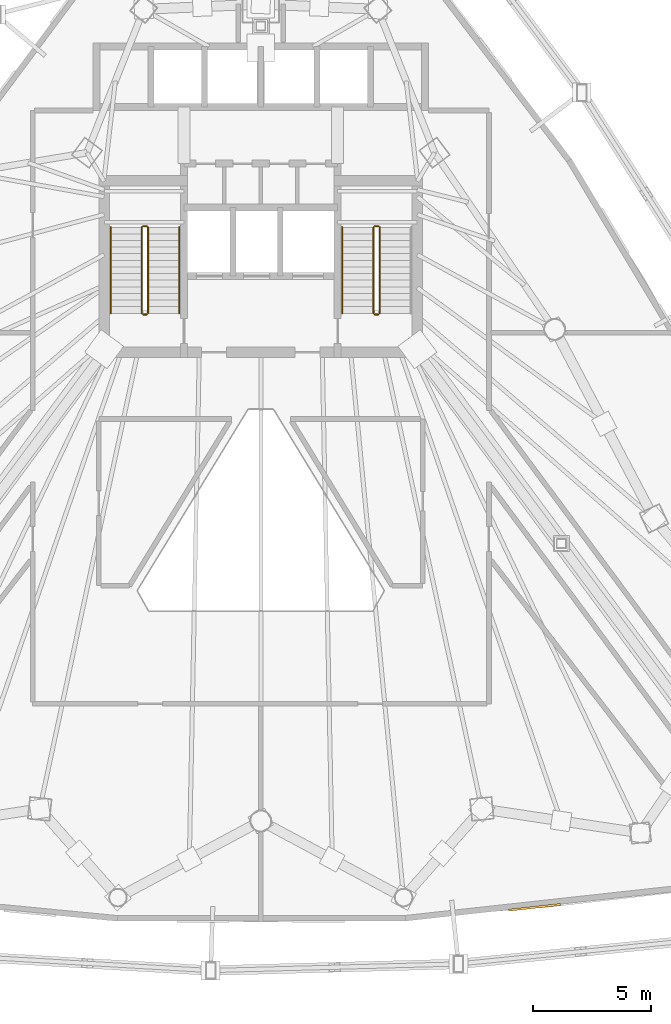
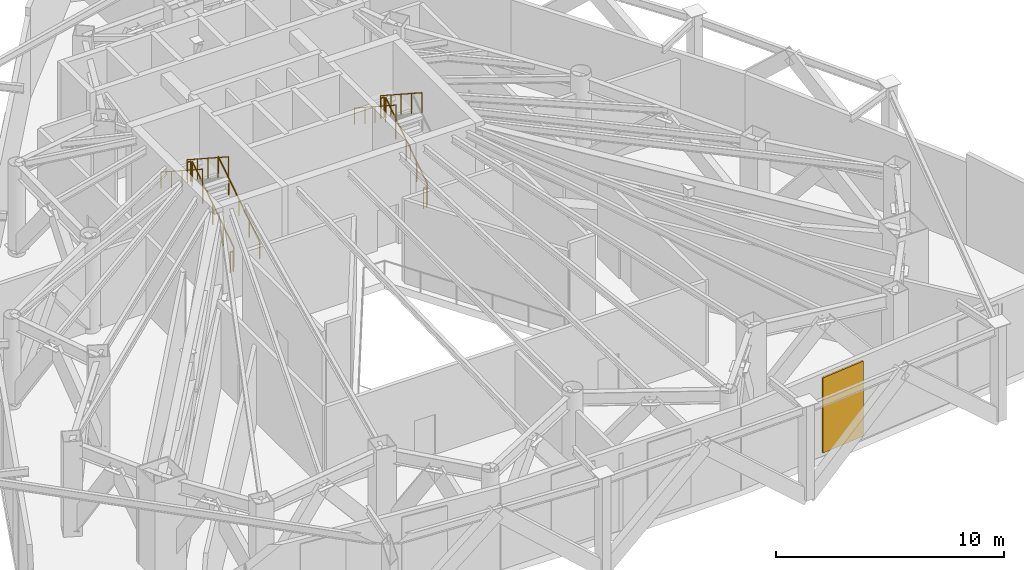
# One storey, part 9 of 10: 11 railings, 1 shading device.
"""IFC4 building model written with IfcOpenShell, lengths in metres."""

from ifc_helpers import new_model, si_unit, direction, frame, origin, origin_2d, place, context, subcontext, project, spatial, rectangle, circle, extrude, material, layer, layer_set, type_object, element, save


model = new_model("IFC4")

# Units and contexts
model_context = context("Model", 3, precision=1e-05, world=origin(), true_north=direction((0.0, 1.0)))
body_context = subcontext(model_context, "Body", "Model", "MODEL_VIEW")
ifc_project = project(units=[si_unit("LENGTHUNIT", "METRE"), si_unit("AREAUNIT", "SQUARE_METRE"), si_unit("VOLUMEUNIT", "CUBIC_METRE"), si_unit("PLANEANGLEUNIT", "RADIAN"), si_unit("MASSUNIT", "GRAM", prefix="KILO")], contexts=[model_context])

# Site, building, storey
site_placement = place(None, origin())
site = spatial("IfcSite", under=ifc_project, at=site_placement, CompositionType="ELEMENT")
building_placement = place(site_placement, origin())
building = spatial("IfcBuilding", under=site, at=building_placement, Name="Orvanel Arch Residences", CompositionType="ELEMENT")
storey_placement = place(building_placement, frame((0.0, 0.0, 101.60009765625)))
storey = spatial("IfcBuildingStorey", under=building, at=storey_placement, Name="L28", CompositionType="ELEMENT", Elevation=101.60009765625)

# Shading device
ifc_material_1 = material(Name="Insulated bronze-anodised aluminium spandrel panel", Category="aluminium")
ifc_layer = layer(ifc_material_1, 0.090087890625)
ifc_layer_set = layer_set([ifc_layer], Name="Insulated bronze-anodised aluminium spandrel panel")
shading_device_type = type_object("IfcShadingDeviceType", Name="LVR-PLT-90", PredefinedType="USERDEFINED", material=ifc_layer_set)
shading_device_placement = place(storey_placement, frame((44.58203125, 3.193115234375, 0.199951171875), z_axis=(0.0, 0.0, 1.0), x_axis=(0.993960955455, 0.109734311091, 0.0)))
element("IfcShadingDevice", 1, at=shading_device_placement, inside=storey, type_object=shading_device_type, Name="L28 Mechanical Intake Louvre Panel F2-5", ObjectType="LOUVRE", PredefinedType="USERDEFINED", context=body_context, shape_type="SweptSolid", body=[
    extrude(rectangle(XDim=2.199951171875, YDim=0.090087890625, at=origin_2d()), origin(), (0.0, 0.0, 1.0), 4.02392578125),
])

# Railings
ifc_material_2 = material(Name="Structural steel AS/NZS 1163 C350L0 (Grade 350)", Category="steel")
railing_type_1 = type_object("IfcRailingType", Name="RL-STAIR-GUARD", PredefinedType="GUARDRAIL", material=ifc_material_2)
railing_1_placement = place(storey_placement, frame((28.22998046875, 28.320068359375, 0.18212890625)))
element("IfcRailing", 2, at=railing_1_placement, inside=storey, type_object=railing_type_1, Name="L28 ST-1 stair guard 1", PredefinedType="GUARDRAIL", context=body_context, shape_type="SweptSolid", body=[
    extrude(circle(Radius=0.02392578125, at=origin_2d()), frame((0.0, 0.001220703125, 1.076904296875), z_axis=(0.0, 0.838259873693, 0.545270927297), x_axis=(-1.0, 0.0, 0.0)), (0.0, 0.0, 1.0), 4.339111328125),
    extrude(circle(Radius=0.02099609375, at=origin_2d()), origin(), (0.0, 0.0, 1.0), 1.050048828125),
    extrude(circle(Radius=0.02099609375, at=origin_2d()), frame((0.0, 0.909912109375, 0.591796875)), (0.0, 0.0, 1.0), 1.050048828125),
    extrude(circle(Radius=0.02099609375, at=origin_2d()), frame((0.0, 1.81982421875, 1.183837890625)), (0.0, 0.0, 1.0), 1.050048828125),
    extrude(circle(Radius=0.02099609375, at=origin_2d()), frame((0.0, 2.72998046875, 1.77587890625)), (0.0, 0.0, 1.0), 1.050048828125),
    extrude(circle(Radius=0.02099609375, at=origin_2d()), frame((0.0, 3.639892578125, 2.36767578125)), (0.0, 0.0, 1.0), 1.050048828125),
])
railing_2_placement = place(storey_placement, frame((28.179931640625, 32.010009765625, 2.5498046875)))
element("IfcRailing", 3, at=railing_2_placement, inside=storey, type_object=railing_type_1, Name="L28 ST-1 stair guard 2", PredefinedType="GUARDRAIL", context=body_context, shape_type="SweptSolid", body=[
    extrude(circle(Radius=0.02392578125, at=origin_2d()), frame((-0.00146484375, 0.0, 1.076171875), z_axis=(-1.0, 0.0, 0.0), x_axis=(0.0, -1.0, 0.0)), (0.0, 0.0, 1.0), 0.156982421875),
    extrude(circle(Radius=0.02099609375, at=origin_2d()), origin(), (0.0, 0.0, 1.0), 1.050048828125),
    extrude(circle(Radius=0.02099609375, at=origin_2d()), frame((-0.159912109375, 0.0, 0.0)), (0.0, 0.0, 1.0), 1.050048828125),
])
railing_3_placement = place(storey_placement, frame((27.969970703125, 31.9599609375, 2.73193359375)))
element("IfcRailing", 4, at=railing_3_placement, inside=storey, type_object=railing_type_1, Name="L28 ST-1 stair guard 3", PredefinedType="GUARDRAIL", context=body_context, shape_type="SweptSolid", body=[
    extrude(circle(Radius=0.02392578125, at=origin_2d()), frame((0.0, -0.001220703125, 1.076904296875), z_axis=(0.0, -0.838234174257, 0.545310433706), x_axis=(1.0, 0.0, 0.0)), (0.0, 0.0, 1.0), 4.33935546875),
    extrude(circle(Radius=0.02099609375, at=origin_2d()), origin(), (0.0, 0.0, 1.0), 1.050048828125),
    extrude(circle(Radius=0.02099609375, at=origin_2d()), frame((0.0, -0.909912109375, 0.592041015625)), (0.0, 0.0, 1.0), 1.050048828125),
    extrude(circle(Radius=0.02099609375, at=origin_2d()), frame((0.0, -1.81982421875, 1.18408203125)), (0.0, 0.0, 1.0), 1.050048828125),
    extrude(circle(Radius=0.02099609375, at=origin_2d()), frame((0.0, -2.72998046875, 1.77587890625)), (0.0, 0.0, 1.0), 1.050048828125),
    extrude(circle(Radius=0.02099609375, at=origin_2d()), frame((0.0, -3.639892578125, 2.367919921875)), (0.0, 0.0, 1.0), 1.050048828125),
])
railing_4_placement = place(storey_placement, frame((28.179931640625, 28.27001953125, 0.0)))
element("IfcRailing", 5, at=railing_4_placement, inside=storey, type_object=railing_type_1, Name="L28 ST-1 stair guard 4", PredefinedType="GUARDRAIL", context=body_context, shape_type="SweptSolid", body=[
    extrude(circle(Radius=0.02392578125, at=origin_2d()), frame((-0.00146484375, 0.0, 1.076171875), z_axis=(-1.0, 0.0, 0.0), x_axis=(0.0, -1.0, 0.0)), (0.0, 0.0, 1.0), 0.156982421875),
    extrude(circle(Radius=0.02099609375, at=origin_2d()), origin(), (0.0, 0.0, 1.0), 1.050048828125),
    extrude(circle(Radius=0.02099609375, at=origin_2d()), frame((-0.159912109375, 0.0, 0.0)), (0.0, 0.0, 1.0), 1.050048828125),
])
railing_5_placement = place(storey_placement, frame((38.030029296875, 28.320068359375, 0.18212890625)))
element("IfcRailing", 6, at=railing_5_placement, inside=storey, type_object=railing_type_1, Name="L28 ST-2 stair guard 1", PredefinedType="GUARDRAIL", context=body_context, shape_type="SweptSolid", body=[
    extrude(circle(Radius=0.02392578125, at=origin_2d()), frame((0.0, 0.001220703125, 1.076904296875), z_axis=(0.0, 0.838259873693, 0.545270927297), x_axis=(-1.0, 0.0, 0.0)), (0.0, 0.0, 1.0), 4.339111328125),
    extrude(circle(Radius=0.02099609375, at=origin_2d()), origin(), (0.0, 0.0, 1.0), 1.050048828125),
    extrude(circle(Radius=0.02099609375, at=origin_2d()), frame((0.0, 0.909912109375, 0.591796875)), (0.0, 0.0, 1.0), 1.050048828125),
    extrude(circle(Radius=0.02099609375, at=origin_2d()), frame((0.0, 1.81982421875, 1.183837890625)), (0.0, 0.0, 1.0), 1.050048828125),
    extrude(circle(Radius=0.02099609375, at=origin_2d()), frame((0.0, 2.72998046875, 1.77587890625)), (0.0, 0.0, 1.0), 1.050048828125),
    extrude(circle(Radius=0.02099609375, at=origin_2d()), frame((0.0, 3.639892578125, 2.36767578125)), (0.0, 0.0, 1.0), 1.050048828125),
])
railing_6_placement = place(storey_placement, frame((37.97998046875, 32.010009765625, 2.5498046875)))
element("IfcRailing", 7, at=railing_6_placement, inside=storey, type_object=railing_type_1, Name="L28 ST-2 stair guard 2", PredefinedType="GUARDRAIL", context=body_context, shape_type="SweptSolid", body=[
    extrude(circle(Radius=0.02392578125, at=origin_2d()), frame((-0.00146484375, 0.0, 1.076171875), z_axis=(-1.0, 0.0, 0.0), x_axis=(0.0, -1.0, 0.0)), (0.0, 0.0, 1.0), 0.156982421875),
    extrude(circle(Radius=0.02099609375, at=origin_2d()), origin(), (0.0, 0.0, 1.0), 1.050048828125),
    extrude(circle(Radius=0.02099609375, at=origin_2d()), frame((-0.159912109375, 0.0, 0.0)), (0.0, 0.0, 1.0), 1.050048828125),
])
railing_7_placement = place(storey_placement, frame((37.77001953125, 31.9599609375, 2.73193359375)))
element("IfcRailing", 8, at=railing_7_placement, inside=storey, type_object=railing_type_1, Name="L28 ST-2 stair guard 3", PredefinedType="GUARDRAIL", context=body_context, shape_type="SweptSolid", body=[
    extrude(circle(Radius=0.02392578125, at=origin_2d()), frame((0.0, -0.001220703125, 1.076904296875), z_axis=(0.0, -0.838234174257, 0.545310433706), x_axis=(1.0, 0.0, 0.0)), (0.0, 0.0, 1.0), 4.33935546875),
    extrude(circle(Radius=0.02099609375, at=origin_2d()), origin(), (0.0, 0.0, 1.0), 1.050048828125),
    extrude(circle(Radius=0.02099609375, at=origin_2d()), frame((0.0, -0.909912109375, 0.592041015625)), (0.0, 0.0, 1.0), 1.050048828125),
    extrude(circle(Radius=0.02099609375, at=origin_2d()), frame((0.0, -1.81982421875, 1.18408203125)), (0.0, 0.0, 1.0), 1.050048828125),
    extrude(circle(Radius=0.02099609375, at=origin_2d()), frame((0.0, -2.72998046875, 1.77587890625)), (0.0, 0.0, 1.0), 1.050048828125),
    extrude(circle(Radius=0.02099609375, at=origin_2d()), frame((0.0, -3.639892578125, 2.367919921875)), (0.0, 0.0, 1.0), 1.050048828125),
])
railing_8_placement = place(storey_placement, frame((37.97998046875, 28.27001953125, 0.0)))
element("IfcRailing", 9, at=railing_8_placement, inside=storey, type_object=railing_type_1, Name="L28 ST-2 stair guard 4", PredefinedType="GUARDRAIL", context=body_context, shape_type="SweptSolid", body=[
    extrude(circle(Radius=0.02392578125, at=origin_2d()), frame((-0.00146484375, 0.0, 1.076171875), z_axis=(-1.0, 0.0, 0.0), x_axis=(0.0, -1.0, 0.0)), (0.0, 0.0, 1.0), 0.156982421875),
    extrude(circle(Radius=0.02099609375, at=origin_2d()), origin(), (0.0, 0.0, 1.0), 1.050048828125),
    extrude(circle(Radius=0.02099609375, at=origin_2d()), frame((-0.159912109375, 0.0, 0.0)), (0.0, 0.0, 1.0), 1.050048828125),
])
railing_type_2 = type_object("IfcRailingType", Name="RL-STAIR-HAND", PredefinedType="HANDRAIL", material=ifc_material_2)
railing_9_placement = place(storey_placement, frame((29.550048828125, 28.320068359375, 0.18212890625)))
element("IfcRailing", 10, at=railing_9_placement, inside=storey, type_object=railing_type_2, Name="L28 ST-1 stair handrail 1", PredefinedType="HANDRAIL", context=body_context, shape_type="SweptSolid", body=[
    extrude(circle(Radius=0.02392578125, at=origin_2d()), frame((0.0, 0.001220703125, 0.876708984375), z_axis=(0.0, 0.838259873693, 0.545270927297), x_axis=(-1.0, 0.0, 0.0)), (0.0, 0.0, 1.0), 4.339111328125),
    extrude(circle(Radius=0.02099609375, at=origin_2d()), origin(), (0.0, 0.0, 1.0), 0.849853515625),
    extrude(circle(Radius=0.02099609375, at=origin_2d()), frame((0.0, 0.909912109375, 0.591796875)), (0.0, 0.0, 1.0), 0.849853515625),
    extrude(circle(Radius=0.02099609375, at=origin_2d()), frame((0.0, 1.81982421875, 1.183837890625)), (0.0, 0.0, 1.0), 0.849853515625),
    extrude(circle(Radius=0.02099609375, at=origin_2d()), frame((0.0, 2.72998046875, 1.77587890625)), (0.0, 0.0, 1.0), 0.849853515625),
    extrude(circle(Radius=0.02099609375, at=origin_2d()), frame((0.0, 3.639892578125, 2.36767578125)), (0.0, 0.0, 1.0), 0.849853515625),
])
for number, where, name in (
    (11, (26.64990234375, 31.9599609375, 2.73193359375), "L28 ST-1 stair handrail 2"),
    (12, (36.449951171875, 31.9599609375, 2.73193359375), "L28 ST-2 stair handrail 2"),
):
    element("IfcRailing", number, at=place(storey_placement, frame(where)), inside=storey, type_object=railing_type_2, Name=name, PredefinedType="HANDRAIL", context=body_context, shape_type="SweptSolid", body=[
        extrude(circle(Radius=0.02392578125, at=origin_2d()), frame((0.0, -0.001220703125, 0.876708984375), z_axis=(0.0, -0.838234174257, 0.545310433706), x_axis=(1.0, 0.0, 0.0)), (0.0, 0.0, 1.0), 4.33935546875),
        extrude(circle(Radius=0.02099609375, at=origin_2d()), origin(), (0.0, 0.0, 1.0), 0.849853515625),
        extrude(circle(Radius=0.02099609375, at=origin_2d()), frame((0.0, -0.909912109375, 0.592041015625)), (0.0, 0.0, 1.0), 0.849853515625),
        extrude(circle(Radius=0.02099609375, at=origin_2d()), frame((0.0, -1.81982421875, 1.18408203125)), (0.0, 0.0, 1.0), 0.849853515625),
        extrude(circle(Radius=0.02099609375, at=origin_2d()), frame((0.0, -2.72998046875, 1.77587890625)), (0.0, 0.0, 1.0), 0.849853515625),
        extrude(circle(Radius=0.02099609375, at=origin_2d()), frame((0.0, -3.639892578125, 2.367919921875)), (0.0, 0.0, 1.0), 0.849853515625),
    ])

save(model, "model.ifc")
